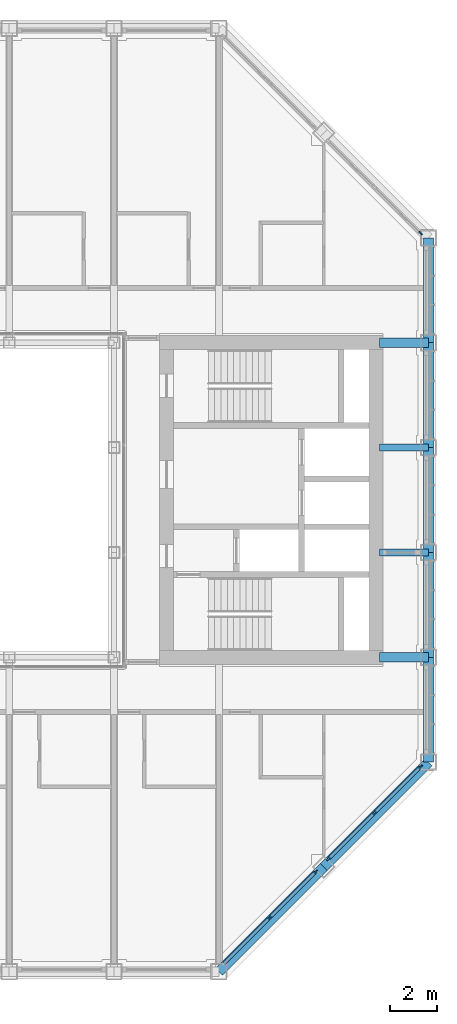
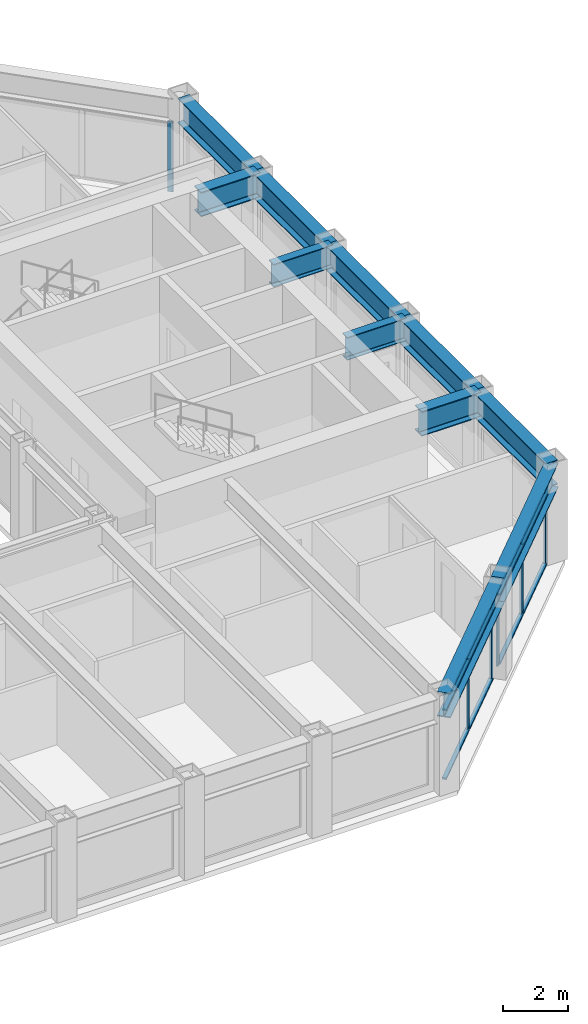
# One storey, part 5 of 18: 14 members, 11 beams, 3 elements without a shape of their own.
"""IFC4 building model written with IfcOpenShell, lengths in metres."""

import ifcopenshell
import ifcopenshell.guid

model = None  # the IFC model being written
_history = None  # IfcOwnerHistory: only IFC2X3 demands one
_inside = {}  # id of a spatial element -> (the spatial element, [elements in it])
_under = {}  # id of a project, library or spatial element -> (it, [spatial elements below it])
_declared = {}  # id of a project -> (the project, [libraries it declares])
_typed = {}  # id of a type object -> (the type object, [elements of that type])
_made_of = {}  # id of a material, layer set ... -> (it, [elements and type objects made of it])


def new_model(schema):
    """Start an empty IFC model of exactly this schema.

    Asked for "IFC4X3", IfcOpenShell would pick the latest addendum, in which some entities
    have other attributes; the version numbers below select the first issue.
    IFC2X3 requires an IfcOwnerHistory on every rooted entity: one is made here for all.
    """
    global model, _history
    if schema == "IFC4X3":
        model = ifcopenshell.file(schema_version=(4, 3, 0, 0))
    else:
        model = ifcopenshell.file(schema=schema)
    _inside.clear()
    _under.clear()
    _declared.clear()
    _typed.clear()
    _made_of.clear()
    _history = None
    if model.schema == "IFC2X3":
        org = make("IfcOrganization", Name="unknown")
        user = make(
            "IfcPersonAndOrganization",
            ThePerson=make("IfcPerson", FamilyName="unknown"),
            TheOrganization=org,
        )
        app = make(
            "IfcApplication",
            ApplicationDeveloper=org,
            Version="unknown",
            ApplicationFullName="unknown",
            ApplicationIdentifier="unknown",
        )
        _history = make(
            "IfcOwnerHistory",
            OwningUser=user,
            OwningApplication=app,
            ChangeAction="ADDED",
            CreationDate=0,
        )
    return model


def make(cls, **values):
    """One entity of the class cls with the attributes given. An attribute that is None is left unset."""
    return model.create_entity(
        cls, **{name: value for name, value in values.items() if value is not None}
    )


def rooted(cls, **values):
    """An entity with a GlobalId (a new one), such as an element, a storey or a relation."""
    return make(cls, GlobalId=ifcopenshell.guid.new(), OwnerHistory=_history, **values)


def si_unit(unit_type, name, prefix=None):
    """IfcSIUnit, for example si_unit("LENGTHUNIT", "METRE", prefix="MILLI")."""
    return make("IfcSIUnit", UnitType=unit_type, Prefix=prefix, Name=name)


def assignment(units):
    """IfcUnitAssignment: the units of a project."""
    return None if units is None else make("IfcUnitAssignment", Units=units)


def point(xyz):
    """IfcCartesianPoint."""
    return None if xyz is None else make("IfcCartesianPoint", Coordinates=xyz)


def direction(xyz):
    """IfcDirection."""
    return None if xyz is None else make("IfcDirection", DirectionRatios=xyz)


def frame(location, z_axis=None, x_axis=None):
    """IfcAxis2Placement3D, a coordinate frame: its origin and axes. An axis left out is left unset."""
    return make(
        "IfcAxis2Placement3D",
        Location=point(location),
        Axis=direction(z_axis),
        RefDirection=direction(x_axis),
    )


def frame_2d(location, x_axis=None):
    """IfcAxis2Placement2D, a coordinate frame in the plane: its origin and x axis."""
    return make(
        "IfcAxis2Placement2D", Location=point(location), RefDirection=direction(x_axis)
    )


def origin():
    """The frame at (0, 0, 0) with its axes left unset."""
    return frame((0.0, 0.0, 0.0))


def origin_2d():
    """The frame at (0, 0) in the plane with its x axis left unset."""
    return frame_2d((0.0, 0.0))


def place(relative_to, where):
    """IfcLocalPlacement: puts the frame where relative to a parent placement (None: the world)."""
    return make(
        "IfcLocalPlacement", PlacementRelTo=relative_to, RelativePlacement=where
    )


def context(
    kind, dimensions, precision=None, world=None, true_north=None, identifier=None
):
    """IfcGeometricRepresentationContext, for example the 3D "Model" context."""
    return make(
        "IfcGeometricRepresentationContext",
        ContextIdentifier=identifier,
        ContextType=kind,
        CoordinateSpaceDimension=dimensions,
        Precision=precision,
        WorldCoordinateSystem=world,
        TrueNorth=true_north,
    )


def subcontext(parent, identifier, kind, view, scale=None):
    """IfcGeometricRepresentationSubContext, for example "Body" below "Model"."""
    return make(
        "IfcGeometricRepresentationSubContext",
        ContextIdentifier=identifier,
        ContextType=kind,
        ParentContext=parent,
        TargetScale=scale,
        TargetView=view,
    )


def project(units=None, contexts=None):
    """IfcProject with its units and contexts."""
    return rooted(
        "IfcProject",
        Name="project",
        RepresentationContexts=contexts,
        UnitsInContext=assignment(units),
    )


def spatial(cls, under=None, at=None, **own):
    """A site, building, storey or space (cls), placed at a placement, below another one or the project."""
    s = rooted(cls, ObjectPlacement=at, **own)
    if under is not None:
        _under.setdefault(under.id(), (under, []))[1].append(s)
    return s


def profile(cls, at=None, kind="AREA", **sizes):
    """A parametric profile (cls). Its sizes go by their IFC names, for example OverallWidth=200.0."""
    return make(cls, ProfileType=kind, Position=at, **sizes)


def rectangle(**sizes):
    """IfcRectangleProfileDef."""
    return profile("IfcRectangleProfileDef", **sizes)


def i_section(**sizes):
    """IfcIShapeProfileDef."""
    return profile("IfcIShapeProfileDef", **sizes)


def extrude(swept, where, along, depth):
    """IfcExtrudedAreaSolid: the profile swept, set in the frame where, extruded along a direction by depth."""
    return make(
        "IfcExtrudedAreaSolid",
        SweptArea=swept,
        Position=where,
        ExtrudedDirection=direction(along),
        Depth=depth,
    )


def shape(context_of_items, identifier, shape_type, items):
    """IfcShapeRepresentation: the items that make up one representation, for example the "Body"."""
    return make(
        "IfcShapeRepresentation",
        ContextOfItems=context_of_items,
        RepresentationIdentifier=identifier,
        RepresentationType=shape_type,
        Items=items,
    )


def material(Name=None, Category=None):
    """IfcMaterial."""
    return make("IfcMaterial", Name=Name, Category=Category)


def material_profile(
    of_material, cross_section, Name=None, Category=None, Priority=None
):
    """IfcMaterialProfile: a cross section and its material."""
    return make(
        "IfcMaterialProfile",
        Name=Name,
        Material=of_material,
        Profile=cross_section,
        Priority=Priority,
        Category=Category,
    )


def profile_set(profiles, Name=None, composite=None):
    """IfcMaterialProfileSet."""
    return make(
        "IfcMaterialProfileSet",
        Name=Name,
        MaterialProfiles=profiles,
        CompositeProfile=composite,
    )


def made_of(thing, what):
    """Note that an element or type object is made of a material, layer set ...; save() writes the relation."""
    if what is not None:
        _made_of.setdefault(what.id(), (what, []))[1].append(thing)
    return thing


def type_object(cls, material=None, **own):
    """A type object (cls), such as IfcWallType, which elements share."""
    return made_of(rooted(cls, **own), material)


def element(
    cls,
    number,
    at=None,
    inside=None,
    cuts=None,
    type_object=None,
    material=None,
    context=None,
    identifier="Body",
    shape_type=None,
    held_by="IfcProductDefinitionShape",
    body=None,
    shapes=None,
    **own,
):
    """One element of the class cls, such as IfcWall. Its Tag is "e" and its number.

    at: its placement. inside: the storey or other place that contains it. cuts: it is an
    opening in that element (IfcRelVoidsElement). A single representation is given by context,
    identifier, shape_type and body (its items); several are given by shapes. held_by: the class
    of the entity that holds the representations. save() writes the other relations.
    """
    e = rooted(cls, Tag="e%d" % number, ObjectPlacement=at, **own)
    if body is not None:
        shapes = [shape(context, identifier, shape_type, body)]
    if shapes is not None:
        e.Representation = make(held_by, Representations=shapes)
    if inside is not None:
        _inside.setdefault(inside.id(), (inside, []))[1].append(e)
    if cuts is not None:
        rooted(
            "IfcRelVoidsElement", RelatingBuildingElement=cuts, RelatedOpeningElement=e
        )
    if type_object is not None:
        _typed.setdefault(type_object.id(), (type_object, []))[1].append(e)
    return made_of(e, material)


def aggregate(whole, parts):
    """IfcRelAggregates: a whole, such as a stair, and the parts it consists of."""
    return rooted("IfcRelAggregates", RelatingObject=whole, RelatedObjects=parts)


def save(model, path):
    """Write the relations noted so far, then the file.

    IfcRelAggregates (storeys below a building ...), IfcRelContainedInSpatialStructure (elements
    in a storey), IfcRelDefinesByType, IfcRelAssociatesMaterial and IfcRelDeclares: one each for
    every whole, place, type object, material and project.
    """
    for whole, parts in _under.values():
        aggregate(whole, parts)
    for where, things in _inside.values():
        rooted(
            "IfcRelContainedInSpatialStructure",
            RelatedElements=things,
            RelatingStructure=where,
        )
    for kind, things in _typed.values():
        rooted("IfcRelDefinesByType", RelatedObjects=things, RelatingType=kind)
    for what, things in _made_of.values():
        rooted("IfcRelAssociatesMaterial", RelatedObjects=things, RelatingMaterial=what)
    for by, libraries in _declared.values():
        rooted("IfcRelDeclares", RelatingContext=by, RelatedDefinitions=libraries)
    model.write(path)


model = new_model("IFC4")

# Units and contexts
model_context = context("Model", 3, precision=1e-05, world=origin(), true_north=direction((0.0, 1.0)))
body_context = subcontext(model_context, "Body", "Model", "MODEL_VIEW")
ifc_project = project(units=[si_unit("LENGTHUNIT", "METRE"), si_unit("AREAUNIT", "SQUARE_METRE"), si_unit("VOLUMEUNIT", "CUBIC_METRE"), si_unit("PLANEANGLEUNIT", "RADIAN"), si_unit("MASSUNIT", "GRAM", prefix="KILO")], contexts=[model_context])

# Site, building, storey
site_placement = place(None, origin())
site = spatial("IfcSite", under=ifc_project, at=site_placement, CompositionType="ELEMENT")
building_placement = place(site_placement, origin())
building = spatial("IfcBuilding", under=site, at=building_placement, Name="Msasa Ring Tower", CompositionType="ELEMENT")
storey_placement = place(building_placement, frame((0.0, 0.0, 208.300048828125)))
storey = spatial("IfcBuildingStorey", under=building, at=storey_placement, Name="L54", CompositionType="ELEMENT", Elevation=208.300048828125)

# Curtain wall, members
ifc_material_1 = material(Name="Aluminium curtain wall with clear glass", Category="aluminium")
curtain_wall_type = type_object("IfcCurtainWallType", Name="CW-C CHAMFER CORNER CURTAIN WALL", PredefinedType="NOTDEFINED", material=ifc_material_1)
curtain_wall_1_placement = place(storey_placement, origin())
curtain_wall_1 = element("IfcCurtainWall", 1, at=curtain_wall_1_placement, inside=storey, type_object=curtain_wall_type, Name="Chamfer corner curtain wall SE L54", PredefinedType="NOTDEFINED")
ifc_material_2 = material(Name="Aluminium mullion", Category="aluminium")
ifc_material_profile_1 = material_profile(ifc_material_2, rectangle(XDim=0.06494140625, YDim=0.179931640625, at=origin_2d()), Name="AL 65x180")
ifc_profile_set_1 = profile_set([ifc_material_profile_1], Name="Aluminium mullion")
member_type_1 = type_object("IfcMemberType", Name="CW-C MULLION 65x180", PredefinedType="MULLION", material=ifc_profile_set_1)
member_1_placement = place(storey_placement, frame((13.42919921875, -17.92919921875, 0.0), z_axis=(0.0, 0.0, 1.0), x_axis=(-0.707106781187, 0.707106781187, 0.0)))
member_1 = element("IfcMember", 2, at=member_1_placement, type_object=member_type_1, Name="CW-C mullion 2", PredefinedType="MULLION", context=body_context, shape_type="SweptSolid", body=[
    extrude(rectangle(XDim=0.06494140625, YDim=0.179931640625, at=origin_2d()), origin(), (0.0, 0.0, 1.0), 2.62890625),
])
member_2_placement = place(storey_placement, frame((15.4052734375, -15.953369140625, 0.0), z_axis=(0.0, 0.0, 1.0), x_axis=(-0.707106781187, 0.707106781187, 0.0)))
member_2 = element("IfcMember", 3, at=member_2_placement, type_object=member_type_1, Name="CW-C mullion 3", PredefinedType="MULLION", context=body_context, shape_type="SweptSolid", body=[
    extrude(rectangle(XDim=0.06494140625, YDim=0.179931640625, at=origin_2d()), origin(), (0.0, 0.0, 1.0), 2.62890625),
])

curtain_wall_2_placement = place(storey_placement, origin())
curtain_wall_2 = element("IfcCurtainWall", 4, at=curtain_wall_2_placement, inside=storey, type_object=curtain_wall_type, Name="Chamfer corner curtain wall SE L54", PredefinedType="NOTDEFINED")
member_3_placement = place(storey_placement, frame((15.953369140625, -15.4052734375, 0.0), z_axis=(0.0, 0.0, 1.0), x_axis=(-0.707106781187, 0.707106781187, 0.0)))
member_3 = element("IfcMember", 5, at=member_3_placement, type_object=member_type_1, Name="CW-C mullion 1", PredefinedType="MULLION", context=body_context, shape_type="SweptSolid", body=[
    extrude(rectangle(XDim=0.06494140625, YDim=0.179931640625, at=origin_2d()), origin(), (0.0, 0.0, 1.0), 2.62890625),
])
member_4_placement = place(storey_placement, frame((17.92919921875, -13.42919921875, 0.0), z_axis=(0.0, 0.0, 1.0), x_axis=(-0.707106781187, 0.707106781187, 0.0)))
member_4 = element("IfcMember", 6, at=member_4_placement, type_object=member_type_1, Name="CW-C mullion 2", PredefinedType="MULLION", context=body_context, shape_type="SweptSolid", body=[
    extrude(rectangle(XDim=0.06494140625, YDim=0.179931640625, at=origin_2d()), origin(), (0.0, 0.0, 1.0), 2.62890625),
])
member_5_placement = place(storey_placement, frame((19.9052734375, -11.453369140625, 0.0), z_axis=(0.0, 0.0, 1.0), x_axis=(-0.707106781187, 0.707106781187, 0.0)))
member_5 = element("IfcMember", 7, at=member_5_placement, type_object=member_type_1, Name="CW-C mullion 3", PredefinedType="MULLION", context=body_context, shape_type="SweptSolid", body=[
    extrude(rectangle(XDim=0.06494140625, YDim=0.179931640625, at=origin_2d()), origin(), (0.0, 0.0, 1.0), 2.62890625),
])

# Curtain wall, member
curtain_wall_3_placement = place(storey_placement, origin())
curtain_wall_3 = element("IfcCurtainWall", 8, at=curtain_wall_3_placement, inside=storey, type_object=curtain_wall_type, Name="Chamfer corner curtain wall NE L54", PredefinedType="NOTDEFINED")
member_6_placement = place(storey_placement, frame((19.9052734375, 11.453369140625, 0.0), z_axis=(0.0, 0.0, 1.0), x_axis=(-0.707106781187, -0.707106781187, 0.0)))
member_6 = element("IfcMember", 9, at=member_6_placement, type_object=member_type_1, Name="CW-C mullion 1", PredefinedType="MULLION", context=body_context, shape_type="SweptSolid", body=[
    extrude(rectangle(XDim=0.06494140625, YDim=0.179931640625, at=origin_2d()), origin(), (0.0, 0.0, 1.0), 2.62890625),
])
aggregate(curtain_wall_3, [member_6])

# Member
ifc_material_3 = material(Name="Aluminium transom", Category="aluminium")
ifc_material_profile_2 = material_profile(ifc_material_3, rectangle(XDim=0.139892578125, YDim=0.06494140625, at=origin_2d()), Name="AL 65x140")
ifc_profile_set_2 = profile_set([ifc_material_profile_2], Name="Aluminium transom")
member_type_2 = type_object("IfcMemberType", Name="CW-C TRANSOM 65x140", PredefinedType="USERDEFINED", material=ifc_profile_set_2)
member_7_placement = place(storey_placement, frame((11.476318359375, -19.88232421875, 0.032470703125), z_axis=(0.707106781187, 0.707106781187, 0.0), x_axis=(-0.707106781187, 0.707106781187, 0.0)))
member_7 = element("IfcMember", 10, at=member_7_placement, type_object=member_type_2, Name="CW-C transom 1.1", ObjectType="TRANSOM", PredefinedType="USERDEFINED", context=body_context, shape_type="SweptSolid", body=[
    extrude(rectangle(XDim=0.139892578125, YDim=0.06494140625, at=origin_2d()), origin(), (0.0, 0.0, 1.0), 2.729248046875),
])

member_8_placement = place(storey_placement, frame((11.476318359375, -19.88232421875, 2.596435546875), z_axis=(0.707106781187, 0.707106781187, 0.0), x_axis=(-0.707106781187, 0.707106781187, 0.0)))
member_8 = element("IfcMember", 11, at=member_8_placement, type_object=member_type_2, Name="CW-C transom 1.2", ObjectType="TRANSOM", PredefinedType="USERDEFINED", context=body_context, shape_type="SweptSolid", body=[
    extrude(rectangle(XDim=0.139892578125, YDim=0.06494140625, at=origin_2d()), origin(), (0.0, 0.0, 1.0), 2.729248046875),
])

member_9_placement = place(storey_placement, frame((13.452392578125, -17.90625, 0.032470703125), z_axis=(0.707106781187, 0.707106781187, 0.0), x_axis=(-0.707106781187, 0.707106781187, 0.0)))
member_9 = element("IfcMember", 12, at=member_9_placement, type_object=member_type_2, Name="CW-C transom 2.1", ObjectType="TRANSOM", PredefinedType="USERDEFINED", context=body_context, shape_type="SweptSolid", body=[
    extrude(rectangle(XDim=0.139892578125, YDim=0.06494140625, at=origin_2d()), origin(), (0.0, 0.0, 1.0), 2.729248046875),
])

member_10_placement = place(storey_placement, frame((13.452392578125, -17.90625, 2.596435546875), z_axis=(0.707106781187, 0.707106781187, 0.0), x_axis=(-0.707106781187, 0.707106781187, 0.0)))
member_10 = element("IfcMember", 13, at=member_10_placement, type_object=member_type_2, Name="CW-C transom 2.2", ObjectType="TRANSOM", PredefinedType="USERDEFINED", context=body_context, shape_type="SweptSolid", body=[
    extrude(rectangle(XDim=0.139892578125, YDim=0.06494140625, at=origin_2d()), origin(), (0.0, 0.0, 1.0), 2.729248046875),
])

aggregate(curtain_wall_1, [member_1, member_2, member_7, member_8, member_9, member_10])

member_11_placement = place(storey_placement, frame((15.976318359375, -15.38232421875, 0.032470703125), z_axis=(0.707106781187, 0.707106781187, 0.0), x_axis=(-0.707106781187, 0.707106781187, 0.0)))
member_11 = element("IfcMember", 14, at=member_11_placement, type_object=member_type_2, Name="CW-C transom 1.1", ObjectType="TRANSOM", PredefinedType="USERDEFINED", context=body_context, shape_type="SweptSolid", body=[
    extrude(rectangle(XDim=0.139892578125, YDim=0.06494140625, at=origin_2d()), origin(), (0.0, 0.0, 1.0), 2.729248046875),
])

member_12_placement = place(storey_placement, frame((15.976318359375, -15.38232421875, 2.596435546875), z_axis=(0.707106781187, 0.707106781187, 0.0), x_axis=(-0.707106781187, 0.707106781187, 0.0)))
member_12 = element("IfcMember", 15, at=member_12_placement, type_object=member_type_2, Name="CW-C transom 1.2", ObjectType="TRANSOM", PredefinedType="USERDEFINED", context=body_context, shape_type="SweptSolid", body=[
    extrude(rectangle(XDim=0.139892578125, YDim=0.06494140625, at=origin_2d()), origin(), (0.0, 0.0, 1.0), 2.729248046875),
])

member_13_placement = place(storey_placement, frame((17.952392578125, -13.40625, 0.032470703125), z_axis=(0.707106781187, 0.707106781187, 0.0), x_axis=(-0.707106781187, 0.707106781187, 0.0)))
member_13 = element("IfcMember", 16, at=member_13_placement, type_object=member_type_2, Name="CW-C transom 2.1", ObjectType="TRANSOM", PredefinedType="USERDEFINED", context=body_context, shape_type="SweptSolid", body=[
    extrude(rectangle(XDim=0.139892578125, YDim=0.06494140625, at=origin_2d()), origin(), (0.0, 0.0, 1.0), 2.729248046875),
])

member_14_placement = place(storey_placement, frame((17.952392578125, -13.40625, 2.596435546875), z_axis=(0.707106781187, 0.707106781187, 0.0), x_axis=(-0.707106781187, 0.707106781187, 0.0)))
member_14 = element("IfcMember", 17, at=member_14_placement, type_object=member_type_2, Name="CW-C transom 2.2", ObjectType="TRANSOM", PredefinedType="USERDEFINED", context=body_context, shape_type="SweptSolid", body=[
    extrude(rectangle(XDim=0.139892578125, YDim=0.06494140625, at=origin_2d()), origin(), (0.0, 0.0, 1.0), 2.729248046875),
])

aggregate(curtain_wall_2, [member_3, member_4, member_5, member_11, member_12, member_13, member_14])

# Beams
ifc_material_4 = material(Name="Steel S355", Category="steel")
ifc_material_profile_3 = material_profile(ifc_material_4, i_section(OverallWidth=0.293701171875, OverallDepth=0.850830078125, WebThickness=0.01611328125, FlangeThickness=0.02685546875, FilletRadius=0.017822265625, at=origin_2d()), Name="UB 838x292x226")
ifc_profile_set_3 = profile_set([ifc_material_profile_3], Name="Steel S355")
beam_type_1 = type_object("IfcBeamType", Name="FB5 UB 838x292x226", PredefinedType="BEAM", material=ifc_profile_set_3)
for number, where, z_axis, x_axis, name in (
    (18, (20.25, -2.25, 3.12451171875), (-1.0, 0.0, 0.0), (0.0, -1.0, 0.0), "Floor beam E -2.25 under L55"),
    (19, (20.25, 2.25, 3.12451171875), (-1.0, 0.0, 0.0), (0.0, -1.0, 0.0), "Floor beam E +2.25 under L55"),
):
    element("IfcBeam", number, at=place(storey_placement, frame(where, z_axis=z_axis, x_axis=x_axis)), inside=storey, type_object=beam_type_1, Name=name, PredefinedType="BEAM", context=body_context, shape_type="SweptSolid", body=[
        extrude(i_section(OverallWidth=0.293701171875, OverallDepth=0.850830078125, WebThickness=0.01611328125, FlangeThickness=0.02685546875, FilletRadius=0.017822265625, at=origin_2d()), origin(), (0.0, 0.0, 1.0), 2.10009765625),
    ])
ifc_material_5 = material(Name="Steel S355", Category="steel")
ifc_material_profile_4 = material_profile(ifc_material_5, i_section(OverallWidth=0.42041015625, OverallDepth=0.9208984375, WebThickness=0.021484375, FlangeThickness=0.03662109375, FilletRadius=0.024169921875, at=origin_2d()), Name="UB 914x419x388")
ifc_profile_set_4 = profile_set([ifc_material_profile_4], Name="Steel S355")
beam_type_2 = type_object("IfcBeamType", Name="GB1 UB 914x419x388", PredefinedType="BEAM", material=ifc_profile_set_4)
for number, where, z_axis, x_axis, name in (
    (20, (18.14990234375, 6.75, 3.08935546875), (1.0, 0.0, 0.0), (0.0, 1.0, 0.0), "Girder E +6.75 under L55"),
    (21, (18.14990234375, -6.75, 3.08935546875), (1.0, 0.0, 0.0), (0.0, 1.0, 0.0), "Girder E -6.75 under L55"),
):
    element("IfcBeam", number, at=place(storey_placement, frame(where, z_axis=z_axis, x_axis=x_axis)), inside=storey, type_object=beam_type_2, Name=name, PredefinedType="BEAM", context=body_context, shape_type="SweptSolid", body=[
        extrude(i_section(OverallWidth=0.42041015625, OverallDepth=0.9208984375, WebThickness=0.021484375, FlangeThickness=0.03662109375, FilletRadius=0.024169921875, at=origin_2d()), origin(), (0.0, 0.0, 1.0), 2.10009765625),
    ])
ifc_material_6 = material(Name="Steel S355", Category="steel")
ifc_material_profile_5 = material_profile(ifc_material_6, i_section(OverallWidth=0.42041015625, OverallDepth=0.9208984375, WebThickness=0.021484375, FlangeThickness=0.03662109375, FilletRadius=0.024169921875, at=origin_2d()), Name="UB 914x419x388")
ifc_profile_set_5 = profile_set([ifc_material_profile_5], Name="Steel S355")
beam_type_3 = type_object("IfcBeamType", Name="SB1 UB 914x419x388", PredefinedType="SPANDREL", material=ifc_profile_set_5)
for number, where, z_axis, x_axis, name in (
    (22, (11.25, -20.25, 3.08935546875), (0.707106781187, 0.707106781187, 0.0), (-0.707106781187, 0.707106781187, 0.0), "Spandrel S+11.25 to SE under L55"),
    (23, (15.75, -15.75, 3.08935546875), (0.707106781187, 0.707106781187, 0.0), (-0.707106781187, 0.707106781187, 0.0), "Spandrel SE to E-11.25 under L55"),
):
    element("IfcBeam", number, at=place(storey_placement, frame(where, z_axis=z_axis, x_axis=x_axis)), inside=storey, type_object=beam_type_3, Name=name, PredefinedType="SPANDREL", context=body_context, shape_type="SweptSolid", body=[
        extrude(i_section(OverallWidth=0.42041015625, OverallDepth=0.9208984375, WebThickness=0.021484375, FlangeThickness=0.03662109375, FilletRadius=0.024169921875, at=origin_2d()), origin(), (0.0, 0.0, 1.0), 6.364013671875),
    ])
for number, where, z_axis, x_axis, name in (
    (24, (20.25, -11.25, 3.08935546875), (0.0, 1.0, 0.0), (-1.0, 0.0, 0.0), "Spandrel E-11.25 to E-6.75 under L55"),
    (25, (20.25, -6.75, 3.08935546875), (0.0, 1.0, 0.0), (-1.0, 0.0, 0.0), "Spandrel E-6.75 to E-2.25 under L55"),
    (26, (20.25, -2.25, 3.08935546875), (0.0, 1.0, 0.0), (-1.0, 0.0, 0.0), "Spandrel E-2.25 to E+2.25 under L55"),
    (27, (20.25, 2.25, 3.08935546875), (0.0, 1.0, 0.0), (-1.0, 0.0, 0.0), "Spandrel E+2.25 to E+6.75 under L55"),
    (28, (20.25, 6.75, 3.08935546875), (0.0, 1.0, 0.0), (-1.0, 0.0, 0.0), "Spandrel E+6.75 to E+11.25 under L55"),
):
    element("IfcBeam", number, at=place(storey_placement, frame(where, z_axis=z_axis, x_axis=x_axis)), inside=storey, type_object=beam_type_3, Name=name, PredefinedType="SPANDREL", context=body_context, shape_type="SweptSolid", body=[
        extrude(i_section(OverallWidth=0.42041015625, OverallDepth=0.9208984375, WebThickness=0.021484375, FlangeThickness=0.03662109375, FilletRadius=0.024169921875, at=origin_2d()), origin(), (0.0, 0.0, 1.0), 4.5),
    ])

save(model, "model.ifc")
